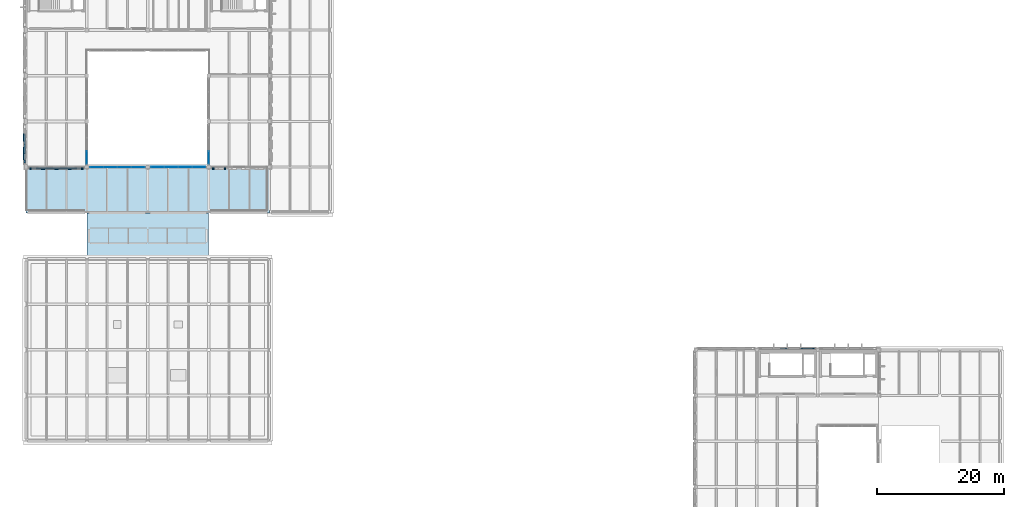
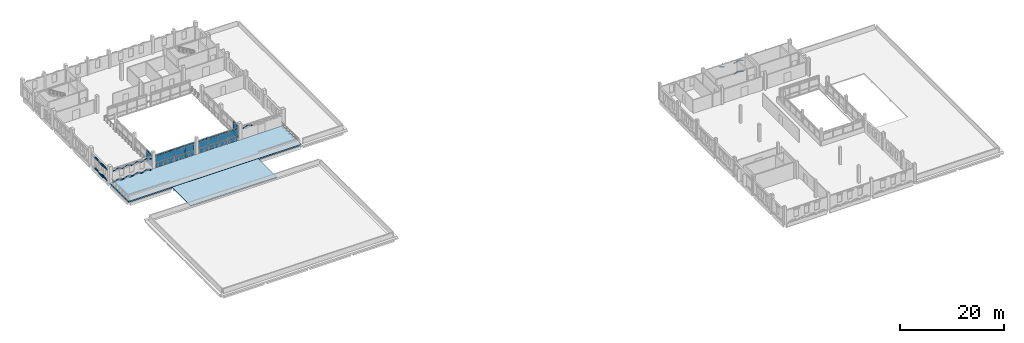
# One storey, part 28 of 50: 65 plates, 2 slabs, 4 elements without a shape of their own.
"""IFC4 building model written with IfcOpenShell, lengths in metres."""

from ifc_helpers import new_model, si_unit, direction, frame, origin, origin_2d, place, context, subcontext, project, spatial, polyline, rectangle, hollow_rectangle, outline, extrude, material, layer, layer_set, material_profile, profile_set, type_object, element, aggregate, save


model = new_model("IFC4")

# Units and contexts
model_context = context("Model", 3, precision=1e-05, world=origin(), true_north=direction((0.0, 1.0)))
body_context = subcontext(model_context, "Body", "Model", "MODEL_VIEW")
ifc_project = project(units=[si_unit("LENGTHUNIT", "METRE"), si_unit("AREAUNIT", "SQUARE_METRE"), si_unit("VOLUMEUNIT", "CUBIC_METRE"), si_unit("PLANEANGLEUNIT", "RADIAN"), si_unit("MASSUNIT", "GRAM", prefix="KILO")], contexts=[model_context])

# Site, building, storey
site_placement = place(None, origin())
site = spatial("IfcSite", under=ifc_project, at=site_placement, CompositionType="ELEMENT")
building_placement = place(site_placement, origin())
building = spatial("IfcBuilding", under=site, at=building_placement, Name="Asteropetra Specialist Clinic", CompositionType="ELEMENT")
storey_placement = place(building_placement, frame((0.0, 0.0, 16.659912109375)))
storey = spatial("IfcBuildingStorey", under=building, at=storey_placement, Name="L04", CompositionType="ELEMENT", Elevation=16.659912109375)

# Plates
ifc_material_1 = material(Name="Chevron emerald aluminium 6063-T6", Category="aluminium")
ifc_material_profile_1 = material_profile(ifc_material_1, hollow_rectangle(XDim=0.139892578125, YDim=0.139892578125, WallThickness=0.008056640625, InnerFilletRadius=0.008056640625, OuterFilletRadius=0.01611328125, at=origin_2d()), Name="SHS 140x140x8.0")
ifc_profile_set_1 = profile_set([ifc_material_profile_1], Name="Chevron emerald aluminium 6063-T6")
plate_type_1 = type_object("IfcPlateType", Name="CHV-RIB-140", PredefinedType="SHEET", material=ifc_profile_set_1)
plate_1_placement = place(storey_placement, frame((124.235107421875, 48.20947265625, 0.080078125), z_axis=(-0.952056356577, 0.0, 0.305922692689), x_axis=(0.0, -1.0, 0.0)))
element("IfcPlate", 1, at=plate_1_placement, inside=storey, type_object=plate_type_1, Name="Chevron Facade Screen Fin CVR-3546", PredefinedType="SHEET", context=body_context, shape_type="SweptSolid", body=[
    extrude(hollow_rectangle(XDim=0.139892578125, YDim=0.139892578125, WallThickness=0.008056640625, InnerFilletRadius=0.008056640625, OuterFilletRadius=0.01611328125, at=origin_2d()), origin(), (0.0, 0.0, 1.0), 1.096435546875),
])
plate_2_placement = place(storey_placement, frame((123.191162109375, 48.20947265625, 0.41552734375), z_axis=(-0.952035512318, 0.0, -0.305987554135), x_axis=(0.0, -1.0, 0.0)))
element("IfcPlate", 2, at=plate_2_placement, inside=storey, type_object=plate_type_1, Name="Chevron Facade Screen Fin CVR-3547", PredefinedType="SHEET", context=body_context, shape_type="SweptSolid", body=[
    extrude(hollow_rectangle(XDim=0.139892578125, YDim=0.139892578125, WallThickness=0.008056640625, InnerFilletRadius=0.008056640625, OuterFilletRadius=0.01611328125, at=origin_2d()), origin(), (0.0, 0.0, 1.0), 1.09619140625),
])
plate_3_placement = place(storey_placement, frame((124.235107421875, 48.20947265625, 2.60009765625), z_axis=(-0.952056356577, 0.0, 0.305922692689), x_axis=(0.0, -1.0, 0.0)))
element("IfcPlate", 3, at=plate_3_placement, inside=storey, type_object=plate_type_1, Name="Chevron Facade Screen Fin CVR-3548", PredefinedType="SHEET", context=body_context, shape_type="SweptSolid", body=[
    extrude(hollow_rectangle(XDim=0.139892578125, YDim=0.139892578125, WallThickness=0.008056640625, InnerFilletRadius=0.008056640625, OuterFilletRadius=0.01611328125, at=origin_2d()), origin(), (0.0, 0.0, 1.0), 1.096435546875),
])
for number, where, z_axis, x_axis, name in (
    (4, (123.191162109375, 48.20947265625, 2.935546875), (-0.952035512318, 0.0, -0.305987554135), (0.0, -1.0, 0.0), "Chevron Facade Screen Fin CVR-3549"),
    (5, (119.97998046875, 48.20947265625, 2.60009765625), (-0.952035512318, 0.0, 0.305987554135), (0.0, -1.0, 0.0), "Chevron Facade Screen Fin CVR-3552"),
):
    element("IfcPlate", number, at=place(storey_placement, frame(where, z_axis=z_axis, x_axis=x_axis)), inside=storey, type_object=plate_type_1, Name=name, PredefinedType="SHEET", context=body_context, shape_type="SweptSolid", body=[
        extrude(hollow_rectangle(XDim=0.139892578125, YDim=0.139892578125, WallThickness=0.008056640625, InnerFilletRadius=0.008056640625, OuterFilletRadius=0.01611328125, at=origin_2d()), origin(), (0.0, 0.0, 1.0), 1.09619140625),
    ])
ifc_material_2 = material(Name="Chevron emerald aluminium 6063-T6", Category="aluminium")
ifc_material_profile_2 = material_profile(ifc_material_2, hollow_rectangle(XDim=0.159912109375, YDim=0.159912109375, WallThickness=0.008056640625, InnerFilletRadius=0.008056640625, OuterFilletRadius=0.01611328125, at=origin_2d()), Name="SHS 160x160x8.0")
ifc_profile_set_2 = profile_set([ifc_material_profile_2], Name="Chevron emerald aluminium 6063-T6")
plate_type_2 = type_object("IfcPlateType", Name="CHV-RIB-160", PredefinedType="SHEET", material=ifc_profile_set_2)
for number, where, z_axis, x_axis, name in (
    (6, (0.614990234375, 76.5830078125, 0.050048828125), (0.95200979945, 0.0, 0.306067544426), (0.0, 1.0, 0.0), "Chevron Facade Screen Fin CVR-1473"),
    (7, (1.646240234375, 76.5830078125, 0.381591796875), (0.95200979945, 0.0, -0.306067544426), (0.0, 1.0, 0.0), "Chevron Facade Screen Fin CVR-1474"),
    (8, (0.614990234375, 76.5830078125, 2.64013671875), (0.95200979945, 0.0, 0.306067544426), (0.0, 1.0, 0.0), "Chevron Facade Screen Fin CVR-1475"),
    (9, (1.646240234375, 76.5830078125, 2.9716796875), (0.95200979945, 0.0, -0.306067544426), (0.0, 1.0, 0.0), "Chevron Facade Screen Fin CVR-1476"),
    (10, (2.717529296875, 76.5830078125, 0.050048828125), (0.95200979945, 0.0, 0.306067544426), (0.0, 1.0, 0.0), "Chevron Facade Screen Fin CVR-1477"),
    (11, (3.748779296875, 76.5830078125, 0.381591796875), (0.95200979945, 0.0, -0.306067544426), (0.0, 1.0, 0.0), "Chevron Facade Screen Fin CVR-1478"),
    (12, (2.717529296875, 76.5830078125, 2.64013671875), (0.95200979945, 0.0, 0.306067544426), (0.0, 1.0, 0.0), "Chevron Facade Screen Fin CVR-1479"),
    (13, (3.748779296875, 76.5830078125, 2.9716796875), (0.95200979945, 0.0, -0.306067544426), (0.0, 1.0, 0.0), "Chevron Facade Screen Fin CVR-1480"),
    (14, (4.820068359375, 76.5830078125, 0.050048828125), (0.95200979945, 0.0, 0.306067544426), (0.0, 1.0, 0.0), "Chevron Facade Screen Fin CVR-1481"),
    (15, (5.851318359375, 76.5830078125, 0.381591796875), (0.95200979945, 0.0, -0.306067544426), (0.0, 1.0, 0.0), "Chevron Facade Screen Fin CVR-1482"),
    (16, (4.820068359375, 76.5830078125, 2.64013671875), (0.95200979945, 0.0, 0.306067544426), (0.0, 1.0, 0.0), "Chevron Facade Screen Fin CVR-1483"),
    (17, (5.851318359375, 76.5830078125, 2.9716796875), (0.95200979945, 0.0, -0.306067544426), (0.0, 1.0, 0.0), "Chevron Facade Screen Fin CVR-1484"),
):
    element("IfcPlate", number, at=place(storey_placement, frame(where, z_axis=z_axis, x_axis=x_axis)), inside=storey, type_object=plate_type_2, Name=name, PredefinedType="SHEET", context=body_context, shape_type="SweptSolid", body=[
        extrude(hollow_rectangle(XDim=0.159912109375, YDim=0.159912109375, WallThickness=0.008056640625, InnerFilletRadius=0.008056640625, OuterFilletRadius=0.01611328125, at=origin_2d()), origin(), (0.0, 0.0, 1.0), 1.083251953125),
    ])
plate_4_placement = place(storey_placement, frame((6.922607421875, 76.5830078125, 0.050048828125), z_axis=(0.95198867955, 0.0, 0.30613322918), x_axis=(0.0, 1.0, 0.0)))
element("IfcPlate", 18, at=plate_4_placement, inside=storey, type_object=plate_type_2, Name="Chevron Facade Screen Fin CVR-1485", PredefinedType="SHEET", context=body_context, shape_type="SweptSolid", body=[
    extrude(hollow_rectangle(XDim=0.159912109375, YDim=0.159912109375, WallThickness=0.008056640625, InnerFilletRadius=0.008056640625, OuterFilletRadius=0.01611328125, at=origin_2d()), origin(), (0.0, 0.0, 1.0), 1.0830078125),
])
plate_5_placement = place(storey_placement, frame((7.95361328125, 76.5830078125, 0.381591796875), z_axis=(0.95203090576, 0.0, -0.306001886396), x_axis=(0.0, 1.0, 0.0)))
element("IfcPlate", 19, at=plate_5_placement, inside=storey, type_object=plate_type_2, Name="Chevron Facade Screen Fin CVR-1486", PredefinedType="SHEET", context=body_context, shape_type="SweptSolid", body=[
    extrude(hollow_rectangle(XDim=0.159912109375, YDim=0.159912109375, WallThickness=0.008056640625, InnerFilletRadius=0.008056640625, OuterFilletRadius=0.01611328125, at=origin_2d()), origin(), (0.0, 0.0, 1.0), 1.08349609375),
])
plate_6_placement = place(storey_placement, frame((6.922607421875, 76.5830078125, 2.64013671875), z_axis=(0.95198867955, 0.0, 0.30613322918), x_axis=(0.0, 1.0, 0.0)))
element("IfcPlate", 20, at=plate_6_placement, inside=storey, type_object=plate_type_2, Name="Chevron Facade Screen Fin CVR-1487", PredefinedType="SHEET", context=body_context, shape_type="SweptSolid", body=[
    extrude(hollow_rectangle(XDim=0.159912109375, YDim=0.159912109375, WallThickness=0.008056640625, InnerFilletRadius=0.008056640625, OuterFilletRadius=0.01611328125, at=origin_2d()), origin(), (0.0, 0.0, 1.0), 1.0830078125),
])
plate_7_placement = place(storey_placement, frame((7.95361328125, 76.5830078125, 2.9716796875), z_axis=(0.95203090576, 0.0, -0.306001886396), x_axis=(0.0, 1.0, 0.0)))
element("IfcPlate", 21, at=plate_7_placement, inside=storey, type_object=plate_type_2, Name="Chevron Facade Screen Fin CVR-1488", PredefinedType="SHEET", context=body_context, shape_type="SweptSolid", body=[
    extrude(hollow_rectangle(XDim=0.159912109375, YDim=0.159912109375, WallThickness=0.008056640625, InnerFilletRadius=0.008056640625, OuterFilletRadius=0.01611328125, at=origin_2d()), origin(), (0.0, 0.0, 1.0), 1.08349609375),
])
for number, where, z_axis, x_axis, name in (
    (22, (29.4150390625, 76.5830078125, 2.6201171875), (0.95200979945, 0.0, 0.306067544426), (0.0, 1.0, 0.0), "Chevron Facade Screen Fin CVR-1529"),
    (23, (30.4462890625, 76.5830078125, 2.95166015625), (0.95200979945, 0.0, -0.306067544426), (0.0, 1.0, 0.0), "Chevron Facade Screen Fin CVR-1530"),
):
    element("IfcPlate", number, at=place(storey_placement, frame(where, z_axis=z_axis, x_axis=x_axis)), inside=storey, type_object=plate_type_2, Name=name, PredefinedType="SHEET", context=body_context, shape_type="SweptSolid", body=[
        extrude(hollow_rectangle(XDim=0.159912109375, YDim=0.159912109375, WallThickness=0.008056640625, InnerFilletRadius=0.008056640625, OuterFilletRadius=0.01611328125, at=origin_2d()), origin(), (0.0, 0.0, 1.0), 1.083251953125),
    ])
plate_8_placement = place(storey_placement, frame((-0.217041015625, 81.8525390625, 0.508056640625), z_axis=(0.0, -0.952507040007, -0.304516565619), x_axis=(1.0, 0.0, 0.0)))
element("IfcPlate", 24, at=plate_8_placement, inside=storey, type_object=plate_type_2, Name="Chevron Facade Screen Fin CVR-1550", PredefinedType="SHEET", context=body_context, shape_type="SweptSolid", body=[
    extrude(hollow_rectangle(XDim=0.159912109375, YDim=0.159912109375, WallThickness=0.008056640625, InnerFilletRadius=0.008056640625, OuterFilletRadius=0.01611328125, at=origin_2d()), origin(), (0.0, 0.0, 1.0), 1.504150390625),
])
plate_9_placement = place(storey_placement, frame((-0.217041015625, 81.8525390625, 3.030029296875), z_axis=(0.0, -0.964904086005, -0.262602560557), x_axis=(1.0, 0.0, 0.0)))
element("IfcPlate", 25, at=plate_9_placement, inside=storey, type_object=plate_type_2, Name="Chevron Facade Screen Fin CVR-1552", PredefinedType="SHEET", context=body_context, shape_type="SweptSolid", body=[
    extrude(hollow_rectangle(XDim=0.159912109375, YDim=0.159912109375, WallThickness=0.008056640625, InnerFilletRadius=0.008056640625, OuterFilletRadius=0.01611328125, at=origin_2d()), origin(), (0.0, 0.0, 1.0), 1.484619140625),
])
plate_10_placement = place(storey_placement, frame((-0.217041015625, 80.3798828125, 0.050048828125), z_axis=(0.0, -0.952491984317, 0.304563654777), x_axis=(1.0, 0.0, 0.0)))
element("IfcPlate", 26, at=plate_10_placement, inside=storey, type_object=plate_type_2, Name="Chevron Facade Screen Fin CVR-1553", PredefinedType="SHEET", context=body_context, shape_type="SweptSolid", body=[
    extrude(hollow_rectangle(XDim=0.159912109375, YDim=0.159912109375, WallThickness=0.008056640625, InnerFilletRadius=0.008056640625, OuterFilletRadius=0.01611328125, at=origin_2d()), origin(), (0.0, 0.0, 1.0), 1.50390625),
])
plate_11_placement = place(storey_placement, frame((-0.217041015625, 78.947509765625, 0.508056640625), z_axis=(0.0, -0.952507040007, -0.304516565619), x_axis=(1.0, 0.0, 0.0)))
element("IfcPlate", 27, at=plate_11_placement, inside=storey, type_object=plate_type_2, Name="Chevron Facade Screen Fin CVR-1554", PredefinedType="SHEET", context=body_context, shape_type="SweptSolid", body=[
    extrude(hollow_rectangle(XDim=0.159912109375, YDim=0.159912109375, WallThickness=0.008056640625, InnerFilletRadius=0.008056640625, OuterFilletRadius=0.01611328125, at=origin_2d()), origin(), (0.0, 0.0, 1.0), 1.504150390625),
])
plate_12_placement = place(storey_placement, frame((-0.217041015625, 80.3798828125, 2.64013671875), z_axis=(0.0, -0.964892743856, 0.262644232476), x_axis=(1.0, 0.0, 0.0)))
element("IfcPlate", 28, at=plate_12_placement, inside=storey, type_object=plate_type_2, Name="Chevron Facade Screen Fin CVR-1555", PredefinedType="SHEET", context=body_context, shape_type="SweptSolid", body=[
    extrude(hollow_rectangle(XDim=0.159912109375, YDim=0.159912109375, WallThickness=0.008056640625, InnerFilletRadius=0.008056640625, OuterFilletRadius=0.01611328125, at=origin_2d()), origin(), (0.0, 0.0, 1.0), 1.484375),
])
plate_13_placement = place(storey_placement, frame((-0.217041015625, 78.947509765625, 3.030029296875), z_axis=(0.0, -0.964904086005, -0.262602560557), x_axis=(1.0, 0.0, 0.0)))
element("IfcPlate", 29, at=plate_13_placement, inside=storey, type_object=plate_type_2, Name="Chevron Facade Screen Fin CVR-1556", PredefinedType="SHEET", context=body_context, shape_type="SweptSolid", body=[
    extrude(hollow_rectangle(XDim=0.159912109375, YDim=0.159912109375, WallThickness=0.008056640625, InnerFilletRadius=0.008056640625, OuterFilletRadius=0.01611328125, at=origin_2d()), origin(), (0.0, 0.0, 1.0), 1.484619140625),
])

# Curtain wall, plates
ifc_material_3 = material(Name="Aluminium and low-E glass", Category="aluminium")
ifc_layer_1 = layer(ifc_material_3, 0.14990234375)
ifc_layer_set_1 = layer_set([ifc_layer_1], Name="Aluminium and low-E glass")
curtain_wall_type_1 = type_object("IfcCurtainWallType", Name="CW-SYS-02", PredefinedType="USERDEFINED", material=ifc_layer_set_1)
curtain_wall_1_placement = place(storey_placement, origin())
curtain_wall_1 = element("IfcCurtainWall", 30, at=curtain_wall_1_placement, inside=storey, type_object=curtain_wall_type_1, Name="Curtain Wall CW-049", ObjectType="UNITISED CURTAIN WALL", PredefinedType="USERDEFINED")
ifc_material_4 = material(Name="Low-E acoustic double glazing", Category="glass")
ifc_layer_2 = layer(ifc_material_4, 0.031982421875)
ifc_layer_set_2 = layer_set([ifc_layer_2], Name="Low-E acoustic double glazing")
plate_type_3 = type_object("IfcPlateType", Name="CWP-GLZ-32", PredefinedType="CURTAIN_PANEL", material=ifc_layer_set_2)
plate_14_placement = place(storey_placement, frame((11.142578125, 76.800048828125, 0.06494140625), z_axis=(0.0, 0.0, 1.0), x_axis=(1.0, 0.0, 0.0)))
plate_14 = element("IfcPlate", 31, at=plate_14_placement, type_object=plate_type_3, Name="CW-049 panel 1.1", PredefinedType="CURTAIN_PANEL", context=body_context, shape_type="SweptSolid", body=[
    extrude(rectangle(XDim=2.0849609375, YDim=0.031982421875, at=origin_2d()), origin(), (0.0, 0.0, 1.0), 0.802490234375),
])
plate_15_placement = place(storey_placement, frame((11.142578125, 76.800048828125, 0.9326171875), z_axis=(0.0, 0.0, 1.0), x_axis=(1.0, 0.0, 0.0)))
plate_15 = element("IfcPlate", 32, at=plate_15_placement, type_object=plate_type_3, Name="CW-049 panel 1.2", PredefinedType="CURTAIN_PANEL", context=body_context, shape_type="SweptSolid", body=[
    extrude(rectangle(XDim=2.0849609375, YDim=0.031982421875, at=origin_2d()), origin(), (0.0, 0.0, 1.0), 1.614990234375),
])
plate_16_placement = place(storey_placement, frame((11.142578125, 76.800048828125, 2.6123046875), z_axis=(0.0, 0.0, 1.0), x_axis=(1.0, 0.0, 0.0)))
plate_16 = element("IfcPlate", 33, at=plate_16_placement, type_object=plate_type_3, Name="CW-049 panel 1.3", PredefinedType="CURTAIN_PANEL", context=body_context, shape_type="SweptSolid", body=[
    extrude(rectangle(XDim=2.0849609375, YDim=0.031982421875, at=origin_2d()), origin(), (0.0, 0.0, 1.0), 0.402587890625),
])
plate_17_placement = place(storey_placement, frame((13.308837890625, 76.800048828125, 0.06494140625), z_axis=(0.0, 0.0, 1.0), x_axis=(1.0, 0.0, 0.0)))
plate_17 = element("IfcPlate", 34, at=plate_17_placement, type_object=plate_type_3, Name="CW-049 panel 2.1", PredefinedType="CURTAIN_PANEL", context=body_context, shape_type="SweptSolid", body=[
    extrude(rectangle(XDim=2.117431640625, YDim=0.031982421875, at=origin_2d()), origin(), (0.0, 0.0, 1.0), 0.802490234375),
])
plate_18_placement = place(storey_placement, frame((13.308837890625, 76.800048828125, 0.9326171875), z_axis=(0.0, 0.0, 1.0), x_axis=(1.0, 0.0, 0.0)))
plate_18 = element("IfcPlate", 35, at=plate_18_placement, type_object=plate_type_3, Name="CW-049 panel 2.2", PredefinedType="CURTAIN_PANEL", context=body_context, shape_type="SweptSolid", body=[
    extrude(rectangle(XDim=2.117431640625, YDim=0.031982421875, at=origin_2d()), origin(), (0.0, 0.0, 1.0), 1.614990234375),
])
plate_19_placement = place(storey_placement, frame((13.308837890625, 76.800048828125, 2.6123046875), z_axis=(0.0, 0.0, 1.0), x_axis=(1.0, 0.0, 0.0)))
plate_19 = element("IfcPlate", 36, at=plate_19_placement, type_object=plate_type_3, Name="CW-049 panel 2.3", PredefinedType="CURTAIN_PANEL", context=body_context, shape_type="SweptSolid", body=[
    extrude(rectangle(XDim=2.117431640625, YDim=0.031982421875, at=origin_2d()), origin(), (0.0, 0.0, 1.0), 0.402587890625),
])
plate_20_placement = place(storey_placement, frame((15.4912109375, 76.800048828125, 0.06494140625), z_axis=(0.0, 0.0, 1.0), x_axis=(1.0, 0.0, 0.0)))
plate_20 = element("IfcPlate", 37, at=plate_20_placement, type_object=plate_type_3, Name="CW-049 panel 3.1", PredefinedType="CURTAIN_PANEL", context=body_context, shape_type="SweptSolid", body=[
    extrude(rectangle(XDim=2.117431640625, YDim=0.031982421875, at=origin_2d()), origin(), (0.0, 0.0, 1.0), 0.802490234375),
])
plate_21_placement = place(storey_placement, frame((15.4912109375, 76.800048828125, 0.9326171875), z_axis=(0.0, 0.0, 1.0), x_axis=(1.0, 0.0, 0.0)))
plate_21 = element("IfcPlate", 38, at=plate_21_placement, type_object=plate_type_3, Name="CW-049 panel 3.2", PredefinedType="CURTAIN_PANEL", context=body_context, shape_type="SweptSolid", body=[
    extrude(rectangle(XDim=2.117431640625, YDim=0.031982421875, at=origin_2d()), origin(), (0.0, 0.0, 1.0), 1.614990234375),
])
plate_22_placement = place(storey_placement, frame((15.4912109375, 76.800048828125, 2.6123046875), z_axis=(0.0, 0.0, 1.0), x_axis=(1.0, 0.0, 0.0)))
plate_22 = element("IfcPlate", 39, at=plate_22_placement, type_object=plate_type_3, Name="CW-049 panel 3.3", PredefinedType="CURTAIN_PANEL", context=body_context, shape_type="SweptSolid", body=[
    extrude(rectangle(XDim=2.117431640625, YDim=0.031982421875, at=origin_2d()), origin(), (0.0, 0.0, 1.0), 0.402587890625),
])
plate_23_placement = place(storey_placement, frame((17.657470703125, 76.800048828125, 0.06494140625), z_axis=(0.0, 0.0, 1.0), x_axis=(1.0, 0.0, 0.0)))
plate_23 = element("IfcPlate", 40, at=plate_23_placement, type_object=plate_type_3, Name="CW-049 panel 4.1", PredefinedType="CURTAIN_PANEL", context=body_context, shape_type="SweptSolid", body=[
    extrude(rectangle(XDim=2.0849609375, YDim=0.031982421875, at=origin_2d()), origin(), (0.0, 0.0, 1.0), 0.802490234375),
])
plate_24_placement = place(storey_placement, frame((17.657470703125, 76.800048828125, 0.9326171875), z_axis=(0.0, 0.0, 1.0), x_axis=(1.0, 0.0, 0.0)))
plate_24 = element("IfcPlate", 41, at=plate_24_placement, type_object=plate_type_3, Name="CW-049 panel 4.2", PredefinedType="CURTAIN_PANEL", context=body_context, shape_type="SweptSolid", body=[
    extrude(rectangle(XDim=2.0849609375, YDim=0.031982421875, at=origin_2d()), origin(), (0.0, 0.0, 1.0), 1.614990234375),
])
plate_25_placement = place(storey_placement, frame((17.657470703125, 76.800048828125, 2.6123046875), z_axis=(0.0, 0.0, 1.0), x_axis=(1.0, 0.0, 0.0)))
plate_25 = element("IfcPlate", 42, at=plate_25_placement, type_object=plate_type_3, Name="CW-049 panel 4.3", PredefinedType="CURTAIN_PANEL", context=body_context, shape_type="SweptSolid", body=[
    extrude(rectangle(XDim=2.0849609375, YDim=0.031982421875, at=origin_2d()), origin(), (0.0, 0.0, 1.0), 0.402587890625),
])
aggregate(curtain_wall_1, [plate_14, plate_15, plate_16, plate_17, plate_18, plate_19, plate_20, plate_21, plate_22, plate_23, plate_24, plate_25])

ifc_material_5 = material(Name="Aluminium and low-E glass", Category="aluminium")
ifc_layer_3 = layer(ifc_material_5, 0.179931640625)
ifc_layer_set_3 = layer_set([ifc_layer_3], Name="Aluminium and low-E glass")
curtain_wall_type_2 = type_object("IfcCurtainWallType", Name="CW-SYS-04", PredefinedType="USERDEFINED", material=ifc_layer_set_3)
curtain_wall_2_placement = place(storey_placement, origin())
curtain_wall_2 = element("IfcCurtainWall", 43, at=curtain_wall_2_placement, inside=storey, type_object=curtain_wall_type_2, Name="Curtain Wall CW-053", ObjectType="UNITISED CURTAIN WALL", PredefinedType="USERDEFINED")
plate_26_placement = place(storey_placement, frame((9.60009765625, 78.304931640625, 0.06005859375), z_axis=(0.0, 0.0, 1.0), x_axis=(0.0, -1.0, 0.0)))
plate_26 = element("IfcPlate", 44, at=plate_26_placement, type_object=plate_type_3, Name="CW-053 panel 3.1", PredefinedType="CURTAIN_PANEL", context=body_context, shape_type="SweptSolid", body=[
    extrude(rectangle(XDim=2.02001953125, YDim=0.031982421875, at=origin_2d()), origin(), (0.0, 0.0, 1.0), 0.81005859375),
])
plate_27_placement = place(storey_placement, frame((9.60009765625, 78.304931640625, 0.929931640625), z_axis=(0.0, 0.0, 1.0), x_axis=(0.0, -1.0, 0.0)))
plate_27 = element("IfcPlate", 45, at=plate_27_placement, type_object=plate_type_3, Name="CW-053 panel 3.2", PredefinedType="CURTAIN_PANEL", context=body_context, shape_type="SweptSolid", body=[
    extrude(rectangle(XDim=2.02001953125, YDim=0.031982421875, at=origin_2d()), origin(), (0.0, 0.0, 1.0), 1.6201171875),
])
plate_28_placement = place(storey_placement, frame((9.60009765625, 78.304931640625, 2.6103515625), z_axis=(0.0, 0.0, 1.0), x_axis=(0.0, -1.0, 0.0)))
plate_28 = element("IfcPlate", 46, at=plate_28_placement, type_object=plate_type_3, Name="CW-053 panel 3.3", PredefinedType="CURTAIN_PANEL", context=body_context, shape_type="SweptSolid", body=[
    extrude(rectangle(XDim=2.02001953125, YDim=0.031982421875, at=origin_2d()), origin(), (0.0, 0.0, 1.0), 0.409912109375),
])
aggregate(curtain_wall_2, [plate_26, plate_27, plate_28])

ifc_material_6 = material(Name="Aluminium and low-E glass", Category="aluminium")
ifc_layer_4 = layer(ifc_material_6, 0.14990234375)
ifc_layer_set_4 = layer_set([ifc_layer_4], Name="Aluminium and low-E glass")
curtain_wall_type_3 = type_object("IfcCurtainWallType", Name="CW-SYS-05", PredefinedType="USERDEFINED", material=ifc_layer_set_4)
curtain_wall_3_placement = place(storey_placement, origin())
curtain_wall_3 = element("IfcCurtainWall", 47, at=curtain_wall_3_placement, inside=storey, type_object=curtain_wall_type_3, Name="Curtain Wall CW-054", ObjectType="UNITISED CURTAIN WALL", PredefinedType="USERDEFINED")
ifc_material_7 = material(Name="Solar-control triple glazing", Category="glass")
ifc_layer_5 = layer(ifc_material_7, 0.035888671875)
ifc_layer_set_5 = layer_set([ifc_layer_5], Name="Solar-control triple glazing")
plate_type_4 = type_object("IfcPlateType", Name="CWP-GLZ-36", PredefinedType="CURTAIN_PANEL", material=ifc_layer_set_5)
plate_29_placement = place(storey_placement, frame((28.800048828125, 78.308837890625, 0.074951171875), z_axis=(0.0, 0.0, 1.0), x_axis=(0.0, 1.0, 0.0)))
plate_29 = element("IfcPlate", 48, at=plate_29_placement, type_object=plate_type_4, Name="CW-054 panel 1.1", PredefinedType="CURTAIN_PANEL", context=body_context, shape_type="SweptSolid", body=[
    extrude(rectangle(XDim=1.99755859375, YDim=0.035888671875, at=origin_2d()), origin(), (0.0, 0.0, 1.0), 0.78759765625),
])
plate_30_placement = place(storey_placement, frame((28.800048828125, 78.308837890625, 0.9375), z_axis=(0.0, 0.0, 1.0), x_axis=(0.0, 1.0, 0.0)))
plate_30 = element("IfcPlate", 49, at=plate_30_placement, type_object=plate_type_4, Name="CW-054 panel 1.2", PredefinedType="CURTAIN_PANEL", context=body_context, shape_type="SweptSolid", body=[
    extrude(rectangle(XDim=1.99755859375, YDim=0.035888671875, at=origin_2d()), origin(), (0.0, 0.0, 1.0), 1.60498046875),
])
plate_31_placement = place(storey_placement, frame((28.800048828125, 78.308837890625, 2.61767578125), z_axis=(0.0, 0.0, 1.0), x_axis=(0.0, 1.0, 0.0)))
plate_31 = element("IfcPlate", 50, at=plate_31_placement, type_object=plate_type_4, Name="CW-054 panel 1.3", PredefinedType="CURTAIN_PANEL", context=body_context, shape_type="SweptSolid", body=[
    extrude(rectangle(XDim=1.99755859375, YDim=0.035888671875, at=origin_2d()), origin(), (0.0, 0.0, 1.0), 0.387451171875),
])
aggregate(curtain_wall_3, [plate_29, plate_30, plate_31])

ifc_material_8 = material(Name="Aluminium and low-E glass", Category="aluminium")
ifc_layer_6 = layer(ifc_material_8, 0.135009765625)
ifc_layer_set_6 = layer_set([ifc_layer_6], Name="Aluminium and low-E glass")
curtain_wall_type_4 = type_object("IfcCurtainWallType", Name="CW-SYS-03", PredefinedType="USERDEFINED", material=ifc_layer_set_6)
curtain_wall_4_placement = place(storey_placement, origin())
curtain_wall_4 = element("IfcCurtainWall", 51, at=curtain_wall_4_placement, inside=storey, type_object=curtain_wall_type_4, Name="Curtain Wall CW-051", ObjectType="UNITISED CURTAIN WALL", PredefinedType="USERDEFINED")
ifc_material_9 = material(Name="Laminated skylight glazing", Category="glass")
ifc_layer_7 = layer(ifc_material_9, 0.0400390625)
ifc_layer_set_7 = layer_set([ifc_layer_7], Name="Laminated skylight glazing")
plate_type_5 = type_object("IfcPlateType", Name="CWP-GLZ-40", PredefinedType="CURTAIN_PANEL", material=ifc_layer_set_7)
plate_32_placement = place(storey_placement, frame((20.7451171875, 76.800048828125, 0.074951171875), z_axis=(0.0, 0.0, 1.0), x_axis=(1.0, 0.0, 0.0)))
plate_32 = element("IfcPlate", 52, at=plate_32_placement, type_object=plate_type_5, Name="CW-051 panel 1.1", PredefinedType="CURTAIN_PANEL", context=body_context, shape_type="SweptSolid", body=[
    extrude(rectangle(XDim=2.070068359375, YDim=0.0400390625, at=origin_2d()), origin(), (0.0, 0.0, 1.0), 0.78759765625),
])
plate_33_placement = place(storey_placement, frame((20.7451171875, 76.800048828125, 0.9375), z_axis=(0.0, 0.0, 1.0), x_axis=(1.0, 0.0, 0.0)))
plate_33 = element("IfcPlate", 53, at=plate_33_placement, type_object=plate_type_5, Name="CW-051 panel 1.2", PredefinedType="CURTAIN_PANEL", context=body_context, shape_type="SweptSolid", body=[
    extrude(rectangle(XDim=2.070068359375, YDim=0.0400390625, at=origin_2d()), origin(), (0.0, 0.0, 1.0), 1.60498046875),
])
plate_34_placement = place(storey_placement, frame((20.7451171875, 76.800048828125, 2.61767578125), z_axis=(0.0, 0.0, 1.0), x_axis=(1.0, 0.0, 0.0)))
plate_34 = element("IfcPlate", 54, at=plate_34_placement, type_object=plate_type_5, Name="CW-051 panel 1.3", PredefinedType="CURTAIN_PANEL", context=body_context, shape_type="SweptSolid", body=[
    extrude(rectangle(XDim=2.070068359375, YDim=0.0400390625, at=origin_2d()), origin(), (0.0, 0.0, 1.0), 0.387451171875),
])
plate_35_placement = place(storey_placement, frame((22.90869140625, 76.800048828125, 0.074951171875), z_axis=(0.0, 0.0, 1.0), x_axis=(1.0, 0.0, 0.0)))
plate_35 = element("IfcPlate", 55, at=plate_35_placement, type_object=plate_type_5, Name="CW-051 panel 2.1", PredefinedType="CURTAIN_PANEL", context=body_context, shape_type="SweptSolid", body=[
    extrude(rectangle(XDim=2.107421875, YDim=0.0400390625, at=origin_2d()), origin(), (0.0, 0.0, 1.0), 0.78759765625),
])
plate_36_placement = place(storey_placement, frame((22.90869140625, 76.800048828125, 0.9375), z_axis=(0.0, 0.0, 1.0), x_axis=(1.0, 0.0, 0.0)))
plate_36 = element("IfcPlate", 56, at=plate_36_placement, type_object=plate_type_5, Name="CW-051 panel 2.2", PredefinedType="CURTAIN_PANEL", context=body_context, shape_type="SweptSolid", body=[
    extrude(rectangle(XDim=2.107421875, YDim=0.0400390625, at=origin_2d()), origin(), (0.0, 0.0, 1.0), 1.60498046875),
])
plate_37_placement = place(storey_placement, frame((22.90869140625, 76.800048828125, 2.61767578125), z_axis=(0.0, 0.0, 1.0), x_axis=(1.0, 0.0, 0.0)))
plate_37 = element("IfcPlate", 57, at=plate_37_placement, type_object=plate_type_5, Name="CW-051 panel 2.3", PredefinedType="CURTAIN_PANEL", context=body_context, shape_type="SweptSolid", body=[
    extrude(rectangle(XDim=2.107421875, YDim=0.0400390625, at=origin_2d()), origin(), (0.0, 0.0, 1.0), 0.387451171875),
])
plate_38_placement = place(storey_placement, frame((25.09130859375, 76.800048828125, 0.074951171875), z_axis=(0.0, 0.0, 1.0), x_axis=(1.0, 0.0, 0.0)))
plate_38 = element("IfcPlate", 58, at=plate_38_placement, type_object=plate_type_5, Name="CW-051 panel 3.1", PredefinedType="CURTAIN_PANEL", context=body_context, shape_type="SweptSolid", body=[
    extrude(rectangle(XDim=2.107421875, YDim=0.0400390625, at=origin_2d()), origin(), (0.0, 0.0, 1.0), 0.78759765625),
])
plate_39_placement = place(storey_placement, frame((25.09130859375, 76.800048828125, 0.9375), z_axis=(0.0, 0.0, 1.0), x_axis=(1.0, 0.0, 0.0)))
plate_39 = element("IfcPlate", 59, at=plate_39_placement, type_object=plate_type_5, Name="CW-051 panel 3.2", PredefinedType="CURTAIN_PANEL", context=body_context, shape_type="SweptSolid", body=[
    extrude(rectangle(XDim=2.107421875, YDim=0.0400390625, at=origin_2d()), origin(), (0.0, 0.0, 1.0), 1.60498046875),
])
plate_40_placement = place(storey_placement, frame((25.09130859375, 76.800048828125, 2.61767578125), z_axis=(0.0, 0.0, 1.0), x_axis=(1.0, 0.0, 0.0)))
plate_40 = element("IfcPlate", 60, at=plate_40_placement, type_object=plate_type_5, Name="CW-051 panel 3.3", PredefinedType="CURTAIN_PANEL", context=body_context, shape_type="SweptSolid", body=[
    extrude(rectangle(XDim=2.107421875, YDim=0.0400390625, at=origin_2d()), origin(), (0.0, 0.0, 1.0), 0.387451171875),
])
plate_41_placement = place(storey_placement, frame((27.2548828125, 76.800048828125, 0.074951171875), z_axis=(0.0, 0.0, 1.0), x_axis=(1.0, 0.0, 0.0)))
plate_41 = element("IfcPlate", 61, at=plate_41_placement, type_object=plate_type_5, Name="CW-051 panel 4.1", PredefinedType="CURTAIN_PANEL", context=body_context, shape_type="SweptSolid", body=[
    extrude(rectangle(XDim=2.070068359375, YDim=0.0400390625, at=origin_2d()), origin(), (0.0, 0.0, 1.0), 0.78759765625),
])
plate_42_placement = place(storey_placement, frame((27.2548828125, 76.800048828125, 0.9375), z_axis=(0.0, 0.0, 1.0), x_axis=(1.0, 0.0, 0.0)))
plate_42 = element("IfcPlate", 62, at=plate_42_placement, type_object=plate_type_5, Name="CW-051 panel 4.2", PredefinedType="CURTAIN_PANEL", context=body_context, shape_type="SweptSolid", body=[
    extrude(rectangle(XDim=2.070068359375, YDim=0.0400390625, at=origin_2d()), origin(), (0.0, 0.0, 1.0), 1.60498046875),
])
plate_43_placement = place(storey_placement, frame((27.2548828125, 76.800048828125, 2.61767578125), z_axis=(0.0, 0.0, 1.0), x_axis=(1.0, 0.0, 0.0)))
plate_43 = element("IfcPlate", 63, at=plate_43_placement, type_object=plate_type_5, Name="CW-051 panel 4.3", PredefinedType="CURTAIN_PANEL", context=body_context, shape_type="SweptSolid", body=[
    extrude(rectangle(XDim=2.070068359375, YDim=0.0400390625, at=origin_2d()), origin(), (0.0, 0.0, 1.0), 0.387451171875),
])
aggregate(curtain_wall_4, [plate_32, plate_33, plate_34, plate_35, plate_36, plate_37, plate_38, plate_39, plate_40, plate_41, plate_42, plate_43])

# Plates
ifc_material_10 = material(Name="Aluminium 6063-T6", Category="aluminium")
ifc_layer_8 = layer(ifc_material_10, 0.139892578125)
ifc_layer_set_8 = layer_set([ifc_layer_8], Name="Aluminium 6063-T6")
plate_type_6 = type_object("IfcPlateType", Name="PLT-CHV-TILE", PredefinedType="SHEET", material=ifc_layer_set_8)
for number, where, z_axis, x_axis, name in (
    (64, (-0.27490234375, 81.451416015625, 0.21142578125), (0.0, 0.0, 1.0), (1.0, 0.0, 0.0), "Chevron Ceramic Panel CPT-1256"),
    (65, (-0.27490234375, 81.451416015625, 2.75537109375), (0.0, 0.0, 1.0), (1.0, 0.0, 0.0), "Chevron Ceramic Panel CPT-1258"),
    (66, (-0.27490234375, 79.3486328125, 0.03759765625), (0.0, 0.0, 1.0), (1.0, 0.0, 0.0), "Chevron Ceramic Panel CPT-1259"),
    (67, (-0.27490234375, 78.54638671875, 0.21142578125), (0.0, 0.0, 1.0), (1.0, 0.0, 0.0), "Chevron Ceramic Panel CPT-1260"),
    (68, (-0.27490234375, 79.3486328125, 2.60693359375), (0.0, 0.0, 1.0), (1.0, 0.0, 0.0), "Chevron Ceramic Panel CPT-1261"),
    (69, (-0.27490234375, 78.54638671875, 2.75537109375), (0.0, 0.0, 1.0), (1.0, 0.0, 0.0), "Chevron Ceramic Panel CPT-1262"),
):
    element("IfcPlate", number, at=place(storey_placement, frame(where, z_axis=z_axis, x_axis=x_axis)), inside=storey, type_object=plate_type_6, Name=name, PredefinedType="SHEET", context=body_context, shape_type="SweptSolid", body=[
        extrude(rectangle(XDim=0.280029296875, YDim=1.14599609375, at=origin_2d()), origin(), (0.0, 0.0, 1.0), 0.300048828125),
    ])

# Slabs
ifc_material_11 = material(Name="Concrete C35/45", Category="concrete")
ifc_layer_9 = layer(ifc_material_11, 0.18994140625)
ifc_layer_set_9 = layer_set([ifc_layer_9], Name="Concrete C35/45")
slab_type_1 = type_object("IfcSlabType", Name="SLB-ROOF-190", PredefinedType="ROOF", material=ifc_layer_set_9)
slab_1_placement = place(storey_placement, frame((0.0, 0.0, -0.18994140625)))
element("IfcSlab", 70, at=slab_1_placement, inside=storey, type_object=slab_type_1, Name="Slab LP2-ROOF L04", PredefinedType="ROOF", context=body_context, shape_type="SweptSolid", body=[
    extrude(outline(polyline([(9.60009765625, 62.43994140625), (28.800048828125, 62.43994140625), (28.800048828125, 69.56005859375), (9.60009765625, 69.56005859375), (9.60009765625, 62.43994140625)])), origin(), (0.0, 0.0, 1.0), 0.18994140625),
])
ifc_material_12 = material(Name="Concrete C35/45", Category="concrete")
ifc_layer_10 = layer(ifc_material_12, 0.31005859375)
ifc_layer_set_10 = layer_set([ifc_layer_10], Name="Concrete C35/45")
slab_type_2 = type_object("IfcSlabType", Name="SLB-TER-310", PredefinedType="ROOF", material=ifc_layer_set_10)
slab_2_placement = place(storey_placement, frame((0.0, 0.0, -0.309814453125)))
element("IfcSlab", 71, at=slab_2_placement, inside=storey, type_object=slab_type_2, Name="Slab V4-S-GARDEN L04", PredefinedType="ROOF", context=body_context, shape_type="SweptSolid", body=[
    extrude(outline(polyline([(0.0, 69.60009765625), (38.39990234375, 69.60009765625), (38.39990234375, 76.800048828125), (0.0, 76.800048828125), (0.0, 69.60009765625)])), origin(), (0.0, 0.0, 1.0), 0.309814453125),
])

save(model, "model.ifc")
